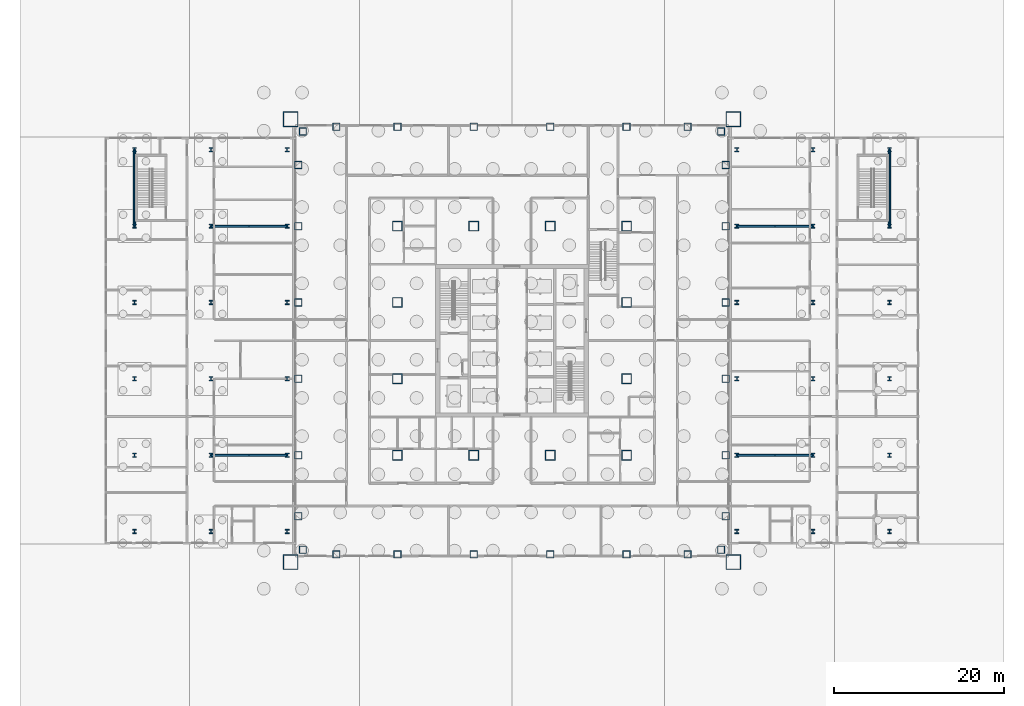
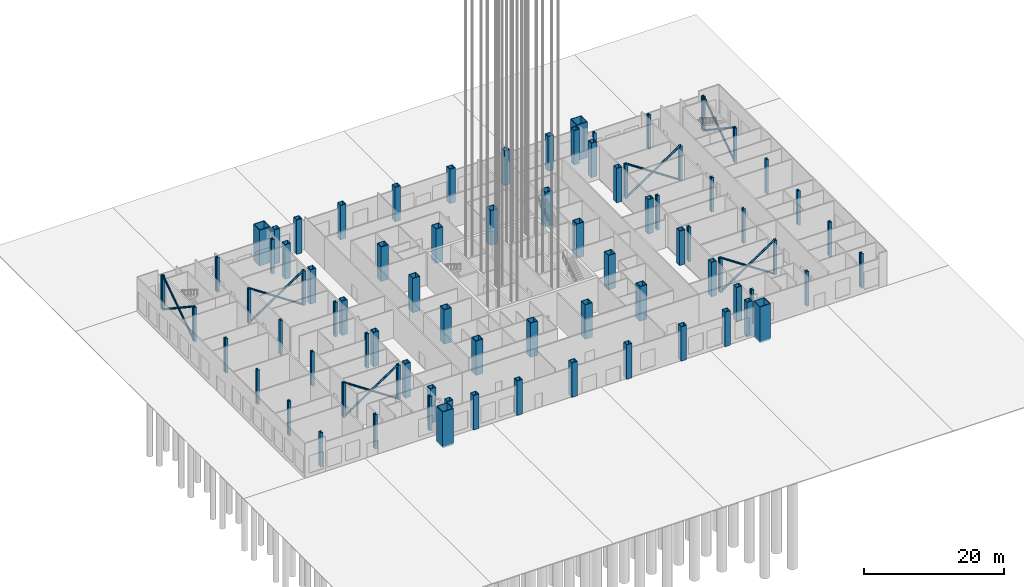
# One storey, part 2 of 36: 80 columns, 12 members.
"""IFC4 building model written with IfcOpenShell, lengths in metres."""

import ifcopenshell
import ifcopenshell.guid

model = None  # the IFC model being written
_history = None  # IfcOwnerHistory: only IFC2X3 demands one
_inside = {}  # id of a spatial element -> (the spatial element, [elements in it])
_under = {}  # id of a project, library or spatial element -> (it, [spatial elements below it])
_declared = {}  # id of a project -> (the project, [libraries it declares])
_typed = {}  # id of a type object -> (the type object, [elements of that type])
_made_of = {}  # id of a material, layer set ... -> (it, [elements and type objects made of it])


def new_model(schema):
    """Start an empty IFC model of exactly this schema.

    Asked for "IFC4X3", IfcOpenShell would pick the latest addendum, in which some entities
    have other attributes; the version numbers below select the first issue.
    IFC2X3 requires an IfcOwnerHistory on every rooted entity: one is made here for all.
    """
    global model, _history
    if schema == "IFC4X3":
        model = ifcopenshell.file(schema_version=(4, 3, 0, 0))
    else:
        model = ifcopenshell.file(schema=schema)
    _inside.clear()
    _under.clear()
    _declared.clear()
    _typed.clear()
    _made_of.clear()
    _history = None
    if model.schema == "IFC2X3":
        org = make("IfcOrganization", Name="unknown")
        user = make(
            "IfcPersonAndOrganization",
            ThePerson=make("IfcPerson", FamilyName="unknown"),
            TheOrganization=org,
        )
        app = make(
            "IfcApplication",
            ApplicationDeveloper=org,
            Version="unknown",
            ApplicationFullName="unknown",
            ApplicationIdentifier="unknown",
        )
        _history = make(
            "IfcOwnerHistory",
            OwningUser=user,
            OwningApplication=app,
            ChangeAction="ADDED",
            CreationDate=0,
        )
    return model


def make(cls, **values):
    """One entity of the class cls with the attributes given. An attribute that is None is left unset."""
    return model.create_entity(
        cls, **{name: value for name, value in values.items() if value is not None}
    )


def rooted(cls, **values):
    """An entity with a GlobalId (a new one), such as an element, a storey or a relation."""
    return make(cls, GlobalId=ifcopenshell.guid.new(), OwnerHistory=_history, **values)


def si_unit(unit_type, name, prefix=None):
    """IfcSIUnit, for example si_unit("LENGTHUNIT", "METRE", prefix="MILLI")."""
    return make("IfcSIUnit", UnitType=unit_type, Prefix=prefix, Name=name)


def assignment(units):
    """IfcUnitAssignment: the units of a project."""
    return None if units is None else make("IfcUnitAssignment", Units=units)


def point(xyz):
    """IfcCartesianPoint."""
    return None if xyz is None else make("IfcCartesianPoint", Coordinates=xyz)


def direction(xyz):
    """IfcDirection."""
    return None if xyz is None else make("IfcDirection", DirectionRatios=xyz)


def frame(location, z_axis=None, x_axis=None):
    """IfcAxis2Placement3D, a coordinate frame: its origin and axes. An axis left out is left unset."""
    return make(
        "IfcAxis2Placement3D",
        Location=point(location),
        Axis=direction(z_axis),
        RefDirection=direction(x_axis),
    )


def frame_2d(location, x_axis=None):
    """IfcAxis2Placement2D, a coordinate frame in the plane: its origin and x axis."""
    return make(
        "IfcAxis2Placement2D", Location=point(location), RefDirection=direction(x_axis)
    )


def origin():
    """The frame at (0, 0, 0) with its axes left unset."""
    return frame((0.0, 0.0, 0.0))


def origin_2d():
    """The frame at (0, 0) in the plane with its x axis left unset."""
    return frame_2d((0.0, 0.0))


def place(relative_to, where):
    """IfcLocalPlacement: puts the frame where relative to a parent placement (None: the world)."""
    return make(
        "IfcLocalPlacement", PlacementRelTo=relative_to, RelativePlacement=where
    )


def context(
    kind, dimensions, precision=None, world=None, true_north=None, identifier=None
):
    """IfcGeometricRepresentationContext, for example the 3D "Model" context."""
    return make(
        "IfcGeometricRepresentationContext",
        ContextIdentifier=identifier,
        ContextType=kind,
        CoordinateSpaceDimension=dimensions,
        Precision=precision,
        WorldCoordinateSystem=world,
        TrueNorth=true_north,
    )


def subcontext(parent, identifier, kind, view, scale=None):
    """IfcGeometricRepresentationSubContext, for example "Body" below "Model"."""
    return make(
        "IfcGeometricRepresentationSubContext",
        ContextIdentifier=identifier,
        ContextType=kind,
        ParentContext=parent,
        TargetScale=scale,
        TargetView=view,
    )


def project(units=None, contexts=None):
    """IfcProject with its units and contexts."""
    return rooted(
        "IfcProject",
        Name="project",
        RepresentationContexts=contexts,
        UnitsInContext=assignment(units),
    )


def spatial(cls, under=None, at=None, **own):
    """A site, building, storey or space (cls), placed at a placement, below another one or the project."""
    s = rooted(cls, ObjectPlacement=at, **own)
    if under is not None:
        _under.setdefault(under.id(), (under, []))[1].append(s)
    return s


def profile(cls, at=None, kind="AREA", **sizes):
    """A parametric profile (cls). Its sizes go by their IFC names, for example OverallWidth=200.0."""
    return make(cls, ProfileType=kind, Position=at, **sizes)


def hollow_rectangle(**sizes):
    """IfcRectangleHollowProfileDef."""
    return profile("IfcRectangleHollowProfileDef", **sizes)


def hollow_circle(**sizes):
    """IfcCircleHollowProfileDef."""
    return profile("IfcCircleHollowProfileDef", **sizes)


def i_section(**sizes):
    """IfcIShapeProfileDef."""
    return profile("IfcIShapeProfileDef", **sizes)


def extrude(swept, where, along, depth):
    """IfcExtrudedAreaSolid: the profile swept, set in the frame where, extruded along a direction by depth."""
    return make(
        "IfcExtrudedAreaSolid",
        SweptArea=swept,
        Position=where,
        ExtrudedDirection=direction(along),
        Depth=depth,
    )


def shape(context_of_items, identifier, shape_type, items):
    """IfcShapeRepresentation: the items that make up one representation, for example the "Body"."""
    return make(
        "IfcShapeRepresentation",
        ContextOfItems=context_of_items,
        RepresentationIdentifier=identifier,
        RepresentationType=shape_type,
        Items=items,
    )


def material(Name=None, Category=None):
    """IfcMaterial."""
    return make("IfcMaterial", Name=Name, Category=Category)


def material_profile(
    of_material, cross_section, Name=None, Category=None, Priority=None
):
    """IfcMaterialProfile: a cross section and its material."""
    return make(
        "IfcMaterialProfile",
        Name=Name,
        Material=of_material,
        Profile=cross_section,
        Priority=Priority,
        Category=Category,
    )


def profile_set(profiles, Name=None, composite=None):
    """IfcMaterialProfileSet."""
    return make(
        "IfcMaterialProfileSet",
        Name=Name,
        MaterialProfiles=profiles,
        CompositeProfile=composite,
    )


def made_of(thing, what):
    """Note that an element or type object is made of a material, layer set ...; save() writes the relation."""
    if what is not None:
        _made_of.setdefault(what.id(), (what, []))[1].append(thing)
    return thing


def type_object(cls, material=None, **own):
    """A type object (cls), such as IfcWallType, which elements share."""
    return made_of(rooted(cls, **own), material)


def element(
    cls,
    number,
    at=None,
    inside=None,
    cuts=None,
    type_object=None,
    material=None,
    context=None,
    identifier="Body",
    shape_type=None,
    held_by="IfcProductDefinitionShape",
    body=None,
    shapes=None,
    **own,
):
    """One element of the class cls, such as IfcWall. Its Tag is "e" and its number.

    at: its placement. inside: the storey or other place that contains it. cuts: it is an
    opening in that element (IfcRelVoidsElement). A single representation is given by context,
    identifier, shape_type and body (its items); several are given by shapes. held_by: the class
    of the entity that holds the representations. save() writes the other relations.
    """
    e = rooted(cls, Tag="e%d" % number, ObjectPlacement=at, **own)
    if body is not None:
        shapes = [shape(context, identifier, shape_type, body)]
    if shapes is not None:
        e.Representation = make(held_by, Representations=shapes)
    if inside is not None:
        _inside.setdefault(inside.id(), (inside, []))[1].append(e)
    if cuts is not None:
        rooted(
            "IfcRelVoidsElement", RelatingBuildingElement=cuts, RelatedOpeningElement=e
        )
    if type_object is not None:
        _typed.setdefault(type_object.id(), (type_object, []))[1].append(e)
    return made_of(e, material)


def aggregate(whole, parts):
    """IfcRelAggregates: a whole, such as a stair, and the parts it consists of."""
    return rooted("IfcRelAggregates", RelatingObject=whole, RelatedObjects=parts)


def save(model, path):
    """Write the relations noted so far, then the file.

    IfcRelAggregates (storeys below a building ...), IfcRelContainedInSpatialStructure (elements
    in a storey), IfcRelDefinesByType, IfcRelAssociatesMaterial and IfcRelDeclares: one each for
    every whole, place, type object, material and project.
    """
    for whole, parts in _under.values():
        aggregate(whole, parts)
    for where, things in _inside.values():
        rooted(
            "IfcRelContainedInSpatialStructure",
            RelatedElements=things,
            RelatingStructure=where,
        )
    for kind, things in _typed.values():
        rooted("IfcRelDefinesByType", RelatedObjects=things, RelatingType=kind)
    for what, things in _made_of.values():
        rooted("IfcRelAssociatesMaterial", RelatedObjects=things, RelatingMaterial=what)
    for by, libraries in _declared.values():
        rooted("IfcRelDeclares", RelatingContext=by, RelatedDefinitions=libraries)
    model.write(path)


model = new_model("IFC4")

# Units and contexts
model_context = context("Model", 3, precision=1e-05, world=origin(), true_north=direction((0.0, 1.0)))
body_context = subcontext(model_context, "Body", "Model", "MODEL_VIEW")
ifc_project = project(units=[si_unit("LENGTHUNIT", "METRE"), si_unit("AREAUNIT", "SQUARE_METRE"), si_unit("VOLUMEUNIT", "CUBIC_METRE"), si_unit("PLANEANGLEUNIT", "RADIAN"), si_unit("MASSUNIT", "GRAM", prefix="KILO")], contexts=[model_context])

# Site, building, storey
site_placement = place(None, origin())
site = spatial("IfcSite", under=ifc_project, at=site_placement, CompositionType="ELEMENT")
building_placement = place(site_placement, origin())
building = spatial("IfcBuilding", under=site, at=building_placement, Name="Malebo Sky Hospital", CompositionType="ELEMENT")
storey_placement = place(building_placement, origin())
storey = spatial("IfcBuildingStorey", under=building, at=storey_placement, Name="L00", CompositionType="ELEMENT", Elevation=0.0)

# Columns
ifc_material_1 = material(Name="Steel S460", Category="steel")
ifc_material_profile_1 = material_profile(ifc_material_1, hollow_rectangle(XDim=1.199951171875, YDim=1.199951171875, WallThickness=0.10009765625, at=origin_2d()), Name="BOX 1200x1200x100")
ifc_profile_set_1 = profile_set([ifc_material_profile_1], Name="Steel S460")
column_type_1 = type_object("IfcColumnType", Name="INNER COLUMN BOX 1200x1200x100", PredefinedType="COLUMN", material=ifc_profile_set_1)
for number, where, z_axis, x_axis, name in (
    (1, (46.5, 48.5, 0.0), (0.0, 0.0, 1.0), (1.0, 0.0, 0.0), "Column IC11 L00"),
    (2, (73.5, 48.5, 0.0), (0.0, 0.0, 1.0), (1.0, 0.0, 0.0), "Column IC11 L00"),
    (3, (73.5, 75.5, 0.0), (0.0, 0.0, 1.0), (1.0, 0.0, 0.0), "Column IC11 L00"),
    (4, (46.5, 75.5, 0.0), (0.0, 0.0, 1.0), (1.0, 0.0, 0.0), "Column IC11 L00"),
    (5, (55.5, 48.5, 0.0), (0.0, 0.0, 1.0), (1.0, 0.0, 0.0), "Column IC11 L00"),
    (6, (64.5, 48.5, 0.0), (0.0, 0.0, 1.0), (1.0, 0.0, 0.0), "Column IC11 L00"),
    (7, (55.5, 75.5, 0.0), (0.0, 0.0, 1.0), (1.0, 0.0, 0.0), "Column IC11 L00"),
    (8, (64.5, 75.5, 0.0), (0.0, 0.0, 1.0), (1.0, 0.0, 0.0), "Column IC11 L00"),
    (9, (46.5, 57.5, 0.0), (0.0, 0.0, 1.0), (1.0, 0.0, 0.0), "Column IC11 L00"),
    (10, (46.5, 66.5, 0.0), (0.0, 0.0, 1.0), (1.0, 0.0, 0.0), "Column IC11 L00"),
    (11, (73.5, 57.5, 0.0), (0.0, 0.0, 1.0), (1.0, 0.0, 0.0), "Column IC11 L00"),
    (12, (73.5, 66.5, 0.0), (0.0, 0.0, 1.0), (1.0, 0.0, 0.0), "Column IC11 L00"),
):
    element("IfcColumn", number, at=place(storey_placement, frame(where, z_axis=z_axis, x_axis=x_axis)), inside=storey, type_object=column_type_1, Name=name, PredefinedType="COLUMN", context=body_context, shape_type="SweptSolid", body=[
        extrude(hollow_rectangle(XDim=1.199951171875, YDim=1.199951171875, WallThickness=0.10009765625, at=origin_2d()), origin(), (0.0, 0.0, 1.0), 6.0),
    ])
ifc_material_profile_2 = material_profile(ifc_material_1, hollow_rectangle(XDim=1.800048828125, YDim=1.800048828125, WallThickness=0.10009765625, at=origin_2d()), Name="BOX 1800x1800x100")
ifc_profile_set_2 = profile_set([ifc_material_profile_2], Name="Steel S460")
column_type_2 = type_object("IfcColumnType", Name="MEGA COLUMN BOX 1800x1800x100", PredefinedType="COLUMN", material=ifc_profile_set_2)
for number, where, z_axis, x_axis, name in (
    (13, (33.89990234375, 35.89990234375, -0.25), (0.0, 0.0, 1.0), (1.0, 0.0, 0.0), "Mega column SW L00"),
    (14, (86.10009765625, 35.89990234375, -0.25), (0.0, 0.0, 1.0), (1.0, 0.0, 0.0), "Mega column SE L00"),
    (15, (86.10009765625, 88.10009765625, -0.25), (0.0, 0.0, 1.0), (1.0, 0.0, 0.0), "Mega column NE L00"),
    (16, (33.89990234375, 88.10009765625, -0.25), (0.0, 0.0, 1.0), (1.0, 0.0, 0.0), "Mega column NW L00"),
):
    element("IfcColumn", number, at=place(storey_placement, frame(where, z_axis=z_axis, x_axis=x_axis)), inside=storey, type_object=column_type_2, Name=name, PredefinedType="COLUMN", context=body_context, shape_type="SweptSolid", body=[
        extrude(hollow_rectangle(XDim=1.800048828125, YDim=1.800048828125, WallThickness=0.10009765625, at=origin_2d()), origin(), (0.0, 0.0, 1.0), 6.25),
    ])
ifc_material_profile_3 = material_profile(ifc_material_1, hollow_rectangle(XDim=0.89990234375, YDim=0.89990234375, WallThickness=0.080078125, at=origin_2d()), Name="BOX 900x900x80")
ifc_profile_set_3 = profile_set([ifc_material_profile_3], Name="Steel S460")
column_type_3 = type_object("IfcColumnType", Name="PERIMETER COLUMN BOX 900x900x80", PredefinedType="COLUMN", material=ifc_profile_set_3)
for number, where, z_axis, x_axis, name in (
    (17, (39.300048828125, 36.800048828125, 0.0), (0.0, 0.0, 1.0), (1.0, 0.0, 0.0), "Column PC8 L00"),
    (18, (39.300048828125, 87.199951171875, 0.0), (0.0, 0.0, 1.0), (1.0, 0.0, 0.0), "Column PC8 L00"),
    (19, (34.800048828125, 41.300048828125, 0.0), (0.0, 0.0, 1.0), (1.0, 0.0, 0.0), "Column PC8 L00"),
    (20, (85.199951171875, 41.300048828125, 0.0), (0.0, 0.0, 1.0), (1.0, 0.0, 0.0), "Column PC8 L00"),
    (21, (46.5, 36.800048828125, 0.0), (0.0, 0.0, 1.0), (1.0, 0.0, 0.0), "Column PC8 L00"),
    (22, (46.5, 87.199951171875, 0.0), (0.0, 0.0, 1.0), (1.0, 0.0, 0.0), "Column PC8 L00"),
    (23, (34.800048828125, 48.5, 0.0), (0.0, 0.0, 1.0), (1.0, 0.0, 0.0), "Column PC8 L00"),
    (24, (85.199951171875, 48.5, 0.0), (0.0, 0.0, 1.0), (1.0, 0.0, 0.0), "Column PC8 L00"),
    (25, (55.5, 36.800048828125, 0.0), (0.0, 0.0, 1.0), (1.0, 0.0, 0.0), "Column PC8 L00"),
    (26, (55.5, 87.199951171875, 0.0), (0.0, 0.0, 1.0), (1.0, 0.0, 0.0), "Column PC8 L00"),
    (27, (34.800048828125, 57.5, 0.0), (0.0, 0.0, 1.0), (1.0, 0.0, 0.0), "Column PC8 L00"),
    (28, (85.199951171875, 57.5, 0.0), (0.0, 0.0, 1.0), (1.0, 0.0, 0.0), "Column PC8 L00"),
    (29, (64.5, 36.800048828125, 0.0), (0.0, 0.0, 1.0), (1.0, 0.0, 0.0), "Column PC8 L00"),
    (30, (64.5, 87.199951171875, 0.0), (0.0, 0.0, 1.0), (1.0, 0.0, 0.0), "Column PC8 L00"),
    (31, (34.800048828125, 66.5, 0.0), (0.0, 0.0, 1.0), (1.0, 0.0, 0.0), "Column PC8 L00"),
    (32, (85.199951171875, 66.5, 0.0), (0.0, 0.0, 1.0), (1.0, 0.0, 0.0), "Column PC8 L00"),
    (33, (73.5, 36.800048828125, 0.0), (0.0, 0.0, 1.0), (1.0, 0.0, 0.0), "Column PC8 L00"),
    (34, (73.5, 87.199951171875, 0.0), (0.0, 0.0, 1.0), (1.0, 0.0, 0.0), "Column PC8 L00"),
    (35, (34.800048828125, 75.5, 0.0), (0.0, 0.0, 1.0), (1.0, 0.0, 0.0), "Column PC8 L00"),
    (36, (85.199951171875, 75.5, 0.0), (0.0, 0.0, 1.0), (1.0, 0.0, 0.0), "Column PC8 L00"),
    (37, (80.699951171875, 36.800048828125, 0.0), (0.0, 0.0, 1.0), (1.0, 0.0, 0.0), "Column PC8 L00"),
    (38, (80.699951171875, 87.199951171875, 0.0), (0.0, 0.0, 1.0), (1.0, 0.0, 0.0), "Column PC8 L00"),
    (39, (34.800048828125, 82.699951171875, 0.0), (0.0, 0.0, 1.0), (1.0, 0.0, 0.0), "Column PC8 L00"),
    (40, (85.199951171875, 82.699951171875, 0.0), (0.0, 0.0, 1.0), (1.0, 0.0, 0.0), "Column PC8 L00"),
    (41, (35.35009765625, 37.35009765625, 0.0), (0.0, 0.0, 1.0), (1.0, 0.0, 0.0), "Column PC8 L00"),
    (42, (84.64990234375, 37.35009765625, 0.0), (0.0, 0.0, 1.0), (1.0, 0.0, 0.0), "Column PC8 L00"),
    (43, (84.64990234375, 86.64990234375, 0.0), (0.0, 0.0, 1.0), (1.0, 0.0, 0.0), "Column PC8 L00"),
    (44, (35.35009765625, 86.64990234375, 0.0), (0.0, 0.0, 1.0), (1.0, 0.0, 0.0), "Column PC8 L00"),
):
    element("IfcColumn", number, at=place(storey_placement, frame(where, z_axis=z_axis, x_axis=x_axis)), inside=storey, type_object=column_type_3, Name=name, PredefinedType="COLUMN", context=body_context, shape_type="SweptSolid", body=[
        extrude(hollow_rectangle(XDim=0.89990234375, YDim=0.89990234375, WallThickness=0.080078125, at=origin_2d()), origin(), (0.0, 0.0, 1.0), 6.0),
    ])
ifc_material_2 = material(Name="Steel S355", Category="steel")
ifc_material_profile_4 = material_profile(ifc_material_2, i_section(OverallWidth=0.431884765625, OverallDepth=0.498046875, WebThickness=0.0556640625, FlangeThickness=0.0888671875, FilletRadius=0.014892578125, at=origin_2d()), Name="HD 400x744")
ifc_profile_set_4 = profile_set([ifc_material_profile_4], Name="Steel S355")
column_type_4 = type_object("IfcColumnType", Name="PODIUM COLUMN HD 400x744", PredefinedType="COLUMN", material=ifc_profile_set_4)
for number, where, z_axis, x_axis, name in (
    (45, (15.5, 39.5, 0.0), (0.0, 0.0, 1.0), (1.0, 0.0, 0.0), "Podium column 15.5/39.5 L00"),
    (46, (15.5, 48.5, 0.0), (0.0, 0.0, 1.0), (1.0, 0.0, 0.0), "Podium column 15.5/48.5 L00"),
    (47, (15.5, 57.5, 0.0), (0.0, 0.0, 1.0), (1.0, 0.0, 0.0), "Podium column 15.5/57.5 L00"),
    (48, (15.5, 66.5, 0.0), (0.0, 0.0, 1.0), (1.0, 0.0, 0.0), "Podium column 15.5/66.5 L00"),
    (49, (15.5, 75.5, 0.0), (0.0, 0.0, 1.0), (1.0, 0.0, 0.0), "Podium column 15.5/75.5 L00"),
    (50, (15.5, 84.5, 0.0), (0.0, 0.0, 1.0), (1.0, 0.0, 0.0), "Podium column 15.5/84.5 L00"),
    (51, (24.5, 39.5, 0.0), (0.0, 0.0, 1.0), (1.0, 0.0, 0.0), "Podium column 24.5/39.5 L00"),
    (52, (24.5, 48.5, 0.0), (0.0, 0.0, 1.0), (1.0, 0.0, 0.0), "Podium column 24.5/48.5 L00"),
    (53, (24.5, 57.5, 0.0), (0.0, 0.0, 1.0), (1.0, 0.0, 0.0), "Podium column 24.5/57.5 L00"),
    (54, (24.5, 66.5, 0.0), (0.0, 0.0, 1.0), (1.0, 0.0, 0.0), "Podium column 24.5/66.5 L00"),
    (55, (24.5, 75.5, 0.0), (0.0, 0.0, 1.0), (1.0, 0.0, 0.0), "Podium column 24.5/75.5 L00"),
    (56, (24.5, 84.5, 0.0), (0.0, 0.0, 1.0), (1.0, 0.0, 0.0), "Podium column 24.5/84.5 L00"),
    (57, (33.5, 39.5, 0.0), (0.0, 0.0, 1.0), (1.0, 0.0, 0.0), "Podium column 33.5/39.5 L00"),
    (58, (33.5, 48.5, 0.0), (0.0, 0.0, 1.0), (1.0, 0.0, 0.0), "Podium column 33.5/48.5 L00"),
    (59, (33.5, 57.5, 0.0), (0.0, 0.0, 1.0), (1.0, 0.0, 0.0), "Podium column 33.5/57.5 L00"),
    (60, (33.5, 66.5, 0.0), (0.0, 0.0, 1.0), (1.0, 0.0, 0.0), "Podium column 33.5/66.5 L00"),
    (61, (33.5, 75.5, 0.0), (0.0, 0.0, 1.0), (1.0, 0.0, 0.0), "Podium column 33.5/75.5 L00"),
    (62, (33.5, 84.5, 0.0), (0.0, 0.0, 1.0), (1.0, 0.0, 0.0), "Podium column 33.5/84.5 L00"),
    (63, (86.5, 39.5, 0.0), (0.0, 0.0, 1.0), (1.0, 0.0, 0.0), "Podium column 86.5/39.5 L00"),
    (64, (86.5, 48.5, 0.0), (0.0, 0.0, 1.0), (1.0, 0.0, 0.0), "Podium column 86.5/48.5 L00"),
    (65, (86.5, 57.5, 0.0), (0.0, 0.0, 1.0), (1.0, 0.0, 0.0), "Podium column 86.5/57.5 L00"),
    (66, (86.5, 66.5, 0.0), (0.0, 0.0, 1.0), (1.0, 0.0, 0.0), "Podium column 86.5/66.5 L00"),
    (67, (86.5, 75.5, 0.0), (0.0, 0.0, 1.0), (1.0, 0.0, 0.0), "Podium column 86.5/75.5 L00"),
    (68, (86.5, 84.5, 0.0), (0.0, 0.0, 1.0), (1.0, 0.0, 0.0), "Podium column 86.5/84.5 L00"),
    (69, (95.5, 39.5, 0.0), (0.0, 0.0, 1.0), (1.0, 0.0, 0.0), "Podium column 95.5/39.5 L00"),
    (70, (95.5, 48.5, 0.0), (0.0, 0.0, 1.0), (1.0, 0.0, 0.0), "Podium column 95.5/48.5 L00"),
    (71, (95.5, 57.5, 0.0), (0.0, 0.0, 1.0), (1.0, 0.0, 0.0), "Podium column 95.5/57.5 L00"),
    (72, (95.5, 66.5, 0.0), (0.0, 0.0, 1.0), (1.0, 0.0, 0.0), "Podium column 95.5/66.5 L00"),
    (73, (95.5, 75.5, 0.0), (0.0, 0.0, 1.0), (1.0, 0.0, 0.0), "Podium column 95.5/75.5 L00"),
    (74, (95.5, 84.5, 0.0), (0.0, 0.0, 1.0), (1.0, 0.0, 0.0), "Podium column 95.5/84.5 L00"),
    (75, (104.5, 39.5, 0.0), (0.0, 0.0, 1.0), (1.0, 0.0, 0.0), "Podium column 104.5/39.5 L00"),
    (76, (104.5, 48.5, 0.0), (0.0, 0.0, 1.0), (1.0, 0.0, 0.0), "Podium column 104.5/48.5 L00"),
    (77, (104.5, 57.5, 0.0), (0.0, 0.0, 1.0), (1.0, 0.0, 0.0), "Podium column 104.5/57.5 L00"),
    (78, (104.5, 66.5, 0.0), (0.0, 0.0, 1.0), (1.0, 0.0, 0.0), "Podium column 104.5/66.5 L00"),
    (79, (104.5, 75.5, 0.0), (0.0, 0.0, 1.0), (1.0, 0.0, 0.0), "Podium column 104.5/75.5 L00"),
    (80, (104.5, 84.5, 0.0), (0.0, 0.0, 1.0), (1.0, 0.0, 0.0), "Podium column 104.5/84.5 L00"),
):
    element("IfcColumn", number, at=place(storey_placement, frame(where, z_axis=z_axis, x_axis=x_axis)), inside=storey, type_object=column_type_4, Name=name, PredefinedType="COLUMN", context=body_context, shape_type="SweptSolid", body=[
        extrude(i_section(OverallWidth=0.431884765625, OverallDepth=0.498046875, WebThickness=0.0556640625, FlangeThickness=0.0888671875, FilletRadius=0.014892578125, at=origin_2d()), origin(), (0.0, 0.0, 1.0), 6.0),
    ])

# Members
ifc_material_profile_5 = material_profile(ifc_material_1, hollow_circle(Radius=0.161865234375, WallThickness=0.012451171875, at=origin_2d()), Name="CHS 323.9x12.5")
ifc_profile_set_5 = profile_set([ifc_material_profile_5], Name="Steel S460")
member_type = type_object("IfcMemberType", Name="WING BRACE CHS 323.9x12.5", PredefinedType="BRACE", material=ifc_profile_set_5)
for number, where, z_axis, x_axis, name in (
    (81, (15.5, 75.5, 0.0), (0.0, 0.832050294338, 0.554700196225), (-1.0, 0.0, 0.0), "Wing brace W1.1 L00"),
    (82, (15.5, 84.5, 0.0), (0.0, -0.832050294338, 0.554700196225), (1.0, 0.0, 0.0), "Wing brace W1.2 L00"),
    (83, (24.5, 48.5, 0.0), (0.832050294338, 0.0, 0.554700196225), (0.0, 1.0, 0.0), "Wing brace W2.1 L00"),
    (84, (33.5, 48.5, 0.0), (-0.832050294338, 0.0, 0.554700196225), (0.0, -1.0, 0.0), "Wing brace W2.2 L00"),
    (85, (24.5, 75.5, 0.0), (0.832050294338, 0.0, 0.554700196225), (0.0, 1.0, 0.0), "Wing brace W3.1 L00"),
    (86, (33.5, 75.5, 0.0), (-0.832050294338, 0.0, 0.554700196225), (0.0, -1.0, 0.0), "Wing brace W3.2 L00"),
    (87, (104.5, 75.5, 0.0), (0.0, 0.832050294338, 0.554700196225), (-1.0, 0.0, 0.0), "Wing brace E1.1 L00"),
    (88, (104.5, 84.5, 0.0), (0.0, -0.832050294338, 0.554700196225), (1.0, 0.0, 0.0), "Wing brace E1.2 L00"),
    (89, (86.5, 48.5, 0.0), (0.832050294338, 0.0, 0.554700196225), (0.0, 1.0, 0.0), "Wing brace E2.1 L00"),
    (90, (95.5, 48.5, 0.0), (-0.832050294338, 0.0, 0.554700196225), (0.0, -1.0, 0.0), "Wing brace E2.2 L00"),
    (91, (86.5, 75.5, 0.0), (0.832050294338, 0.0, 0.554700196225), (0.0, 1.0, 0.0), "Wing brace E3.1 L00"),
    (92, (95.5, 75.5, 0.0), (-0.832050294338, 0.0, 0.554700196225), (0.0, -1.0, 0.0), "Wing brace E3.2 L00"),
):
    element("IfcMember", number, at=place(storey_placement, frame(where, z_axis=z_axis, x_axis=x_axis)), inside=storey, type_object=member_type, Name=name, PredefinedType="BRACE", context=body_context, shape_type="SweptSolid", body=[
        extrude(hollow_circle(Radius=0.161865234375, WallThickness=0.012451171875, at=origin_2d()), origin(), (0.0, 0.0, 1.0), 10.816650390625),
    ])

save(model, "model.ifc")
